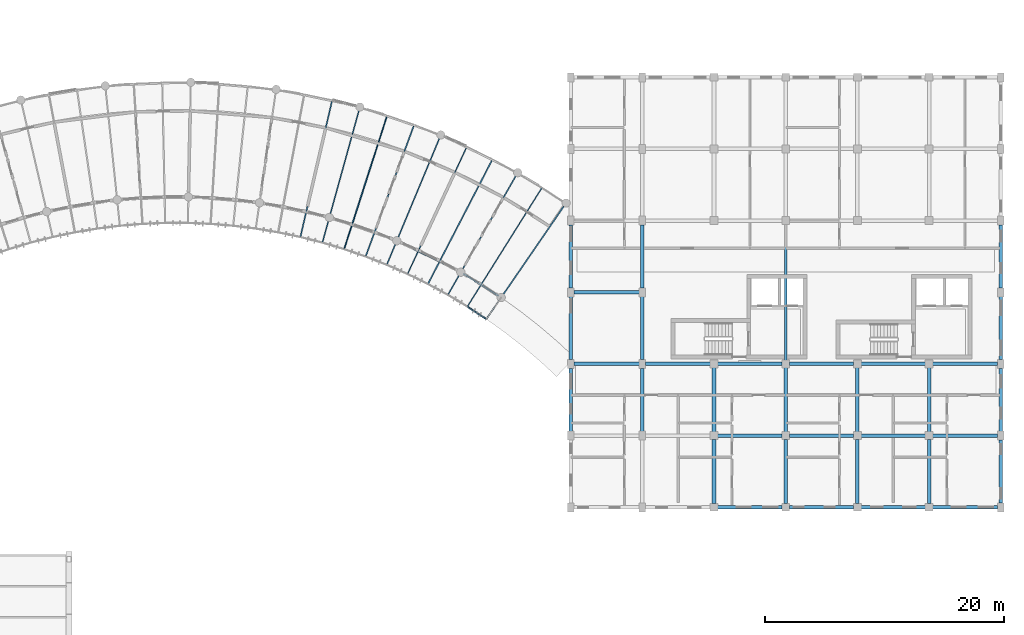
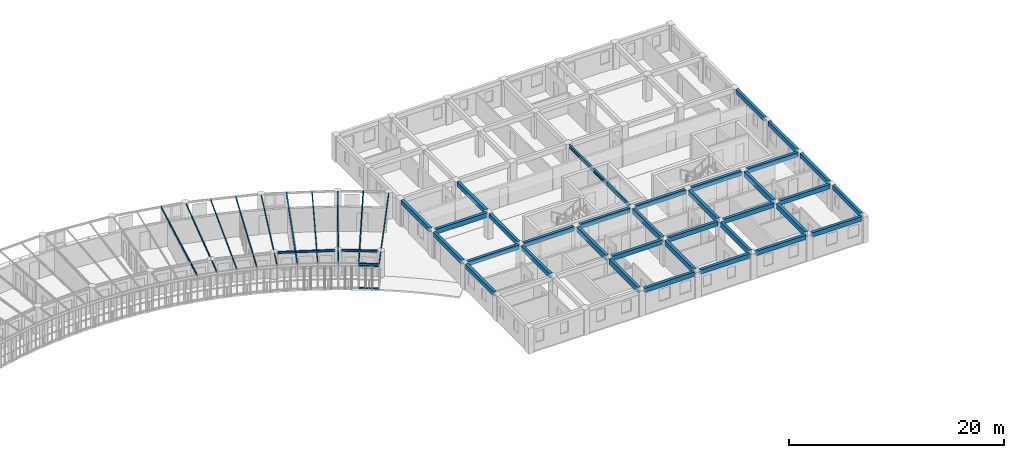
# One storey, part 55 of 123: 47 beams, 2 members.
"""IFC4 building model written with IfcOpenShell, lengths in metres."""

from ifc_helpers import new_model, si_unit, direction, frame, origin, origin_2d, place, context, subcontext, project, spatial, rectangle, hollow_rectangle, i_section, extrude, material, material_profile, profile_set, type_object, element, save


model = new_model("IFC4")

# Units and contexts
model_context = context("Model", 3, precision=1e-05, world=origin(), true_north=direction((0.0, 1.0)))
body_context = subcontext(model_context, "Body", "Model", "MODEL_VIEW")
ifc_project = project(units=[si_unit("LENGTHUNIT", "METRE"), si_unit("AREAUNIT", "SQUARE_METRE"), si_unit("VOLUMEUNIT", "CUBIC_METRE"), si_unit("PLANEANGLEUNIT", "RADIAN"), si_unit("MASSUNIT", "GRAM", prefix="KILO"), si_unit("POWERUNIT", "WATT"), si_unit("THERMODYNAMICTEMPERATUREUNIT", "KELVIN")], contexts=[model_context])

# Site, building, storey
site_placement = place(None, origin())
site = spatial("IfcSite", under=ifc_project, at=site_placement, CompositionType="ELEMENT")
building_placement = place(site_placement, origin())
building = spatial("IfcBuilding", under=site, at=building_placement, Name="Ruvembo Vaulted Housing Court", CompositionType="ELEMENT")
storey_placement = place(building_placement, frame((0.0, 0.0, 7.699951171875)))
storey = spatial("IfcBuildingStorey", under=building, at=storey_placement, Name="L02", CompositionType="ELEMENT", Elevation=7.699951171875)

# Beams
ifc_material_1 = material(Name="Concrete C35/45", Category="concrete")
ifc_material_profile_1 = material_profile(ifc_material_1, rectangle(XDim=0.300048828125, YDim=0.550048828125, at=origin_2d()), Name="RC 300x550")
ifc_profile_set_1 = profile_set([ifc_material_profile_1], Name="Concrete C35/45")
beam_type_1 = type_object("IfcBeamType", Name="BM-RC-300x550", PredefinedType="BEAM", material=ifc_profile_set_1)
beam_1_placement = place(storey_placement, frame((150.260009765625, 90.0, 2.679931640625), z_axis=(1.0, 0.0, 0.0), x_axis=(0.0, 1.0, 0.0)))
element("IfcBeam", 1, at=beam_1_placement, inside=storey, type_object=beam_type_1, Name="L02 Grid Beam X #1531", PredefinedType="BEAM", context=body_context, shape_type="SweptSolid", body=[
    extrude(rectangle(XDim=0.300048828125, YDim=0.550048828125, at=origin_2d()), origin(), (0.0, 0.0, 1.0), 5.47998046875),
])
ifc_material_profile_2 = material_profile(ifc_material_1, rectangle(XDim=0.300048828125, YDim=0.60009765625, at=origin_2d()), Name="RC 300x600")
ifc_profile_set_2 = profile_set([ifc_material_profile_2], Name="Concrete C35/45")
beam_type_2 = type_object("IfcBeamType", Name="BM-RC-300x600", PredefinedType="BEAM", material=ifc_profile_set_2)
for number, where, z_axis, x_axis, name in (
    (2, (162.0, 72.31005859375, 2.655029296875), (0.0, 1.0, 0.0), (-1.0, 0.0, 0.0), "L02 Grid Beam Y #1686"),
    (3, (162.0, 78.31005859375, 2.655029296875), (0.0, 1.0, 0.0), (-1.0, 0.0, 0.0), "L02 Grid Beam Y #1687"),
    (4, (168.0, 72.31005859375, 2.655029296875), (0.0, 1.0, 0.0), (-1.0, 0.0, 0.0), "L02 Grid Beam Y #1690"),
    (5, (168.0, 78.31005859375, 2.655029296875), (0.0, 1.0, 0.0), (-1.0, 0.0, 0.0), "L02 Grid Beam Y #1691"),
    (6, (174.0, 72.31005859375, 2.655029296875), (0.0, 1.0, 0.0), (-1.0, 0.0, 0.0), "L02 Grid Beam Y #1695"),
    (7, (174.0, 78.31005859375, 2.655029296875), (0.0, 1.0, 0.0), (-1.0, 0.0, 0.0), "L02 Grid Beam Y #1696"),
    (8, (180.0, 72.31005859375, 2.655029296875), (0.0, 1.0, 0.0), (-1.0, 0.0, 0.0), "L02 Grid Beam Y #1699"),
    (9, (180.0, 78.31005859375, 2.655029296875), (0.0, 1.0, 0.0), (-1.0, 0.0, 0.0), "L02 Grid Beam Y #1700"),
):
    element("IfcBeam", number, at=place(storey_placement, frame(where, z_axis=z_axis, x_axis=x_axis)), inside=storey, type_object=beam_type_2, Name=name, PredefinedType="BEAM", context=body_context, shape_type="SweptSolid", body=[
        extrude(rectangle(XDim=0.300048828125, YDim=0.60009765625, at=origin_2d()), origin(), (0.0, 0.0, 1.0), 5.3798828125),
    ])
ifc_material_2 = material(Name="Steel S355J2", Category="steel")
ifc_material_profile_3 = material_profile(ifc_material_2, i_section(OverallWidth=0.08203125, OverallDepth=0.159912109375, WebThickness=0.0048828125, FlangeThickness=0.00732421875, FilletRadius=0.009033203125, at=origin_2d()), Name="IPE 160")
ifc_profile_set_3 = profile_set([ifc_material_profile_3], Name="Steel S355J2")
beam_type_3 = type_object("IfcBeamType", Name="BM-ST-IPE160", PredefinedType="JOIST", material=ifc_profile_set_3)
beam_2_placement = place(storey_placement, frame((134.5986328125, 104.68896484375, 2.860107421875), z_axis=(-0.306337017889, -0.951923122669, 0.0), x_axis=(0.951923122669, -0.306337017889, 0.0)))
element("IfcBeam", 10, at=beam_2_placement, inside=storey, type_object=beam_type_3, Name="Scoop SC3 L02 Radial Steel Joist 22", PredefinedType="JOIST", context=body_context, shape_type="SweptSolid", body=[
    extrude(i_section(OverallWidth=0.08203125, OverallDepth=0.159912109375, WebThickness=0.0048828125, FlangeThickness=0.00732421875, FilletRadius=0.009033203125, at=origin_2d()), origin(), (0.0, 0.0, 1.0), 11.690673828125),
])
beam_3_placement = place(storey_placement, frame((141.255126953125, 102.07958984375, 2.860107421875), z_axis=(-0.422190259357, -0.906507244816, 0.0), x_axis=(0.906507244816, -0.422190259357, 0.0)))
element("IfcBeam", 11, at=beam_3_placement, inside=storey, type_object=beam_type_3, Name="Scoop SC3 L02 Radial Steel Joist 25", PredefinedType="JOIST", context=body_context, shape_type="SweptSolid", body=[
    extrude(i_section(OverallWidth=0.08203125, OverallDepth=0.159912109375, WebThickness=0.0048828125, FlangeThickness=0.00732421875, FilletRadius=0.009033203125, at=origin_2d()), origin(), (0.0, 0.0, 1.0), 11.69091796875),
])
beam_4_placement = place(storey_placement, frame((147.5625, 98.70556640625, 2.860107421875), z_axis=(-0.531512135198, -0.847050677432, 0.0), x_axis=(0.847050677432, -0.531512135198, 0.0)))
element("IfcBeam", 12, at=beam_4_placement, inside=storey, type_object=beam_type_3, Name="Scoop SC3 L02 Radial Steel Joist 28", PredefinedType="JOIST", context=body_context, shape_type="SweptSolid", body=[
    extrude(i_section(OverallWidth=0.08203125, OverallDepth=0.159912109375, WebThickness=0.0048828125, FlangeThickness=0.00732421875, FilletRadius=0.009033203125, at=origin_2d()), origin(), (0.0, 0.0, 1.0), 11.740478515625),
])
ifc_material_profile_4 = material_profile(ifc_material_2, i_section(OverallWidth=0.091064453125, OverallDepth=0.179931640625, WebThickness=0.00537109375, FlangeThickness=0.008056640625, FilletRadius=0.009033203125, at=origin_2d()), Name="IPE 180")
ifc_profile_set_4 = profile_set([ifc_material_profile_4], Name="Steel S355J2")
beam_type_4 = type_object("IfcBeamType", Name="BM-ST-IPE180", PredefinedType="JOIST", material=ifc_profile_set_4)
for number, where, z_axis, x_axis, name in (
    (13, (132.29248046875, 105.294189453125, 2.85009765625), (-0.266576495377, -0.963813764227, 0.0), (0.963813764227, -0.266576495377, 0.0), "Scoop SC3 L02 Radial Steel Joist 21"),
    (14, (139.0419921875, 102.966796875, 2.85009765625), (-0.384207721975, -0.923246676883, 0.0), (0.923246676883, -0.384207721975, 0.0), "Scoop SC3 L02 Radial Steel Joist 24"),
):
    element("IfcBeam", number, at=place(storey_placement, frame(where, z_axis=z_axis, x_axis=x_axis)), inside=storey, type_object=beam_type_4, Name=name, PredefinedType="JOIST", context=body_context, shape_type="SweptSolid", body=[
        extrude(i_section(OverallWidth=0.091064453125, OverallDepth=0.179931640625, WebThickness=0.00537109375, FlangeThickness=0.008056640625, FilletRadius=0.009033203125, at=origin_2d()), origin(), (0.0, 0.0, 1.0), 11.610107421875),
    ])
beam_5_placement = place(storey_placement, frame((145.4501953125, 99.818603515625, 2.85009765625), z_axis=(-0.495898868664, -0.868380280786, 0.0), x_axis=(0.868380280786, -0.495898868664, 0.0)))
element("IfcBeam", 15, at=beam_5_placement, inside=storey, type_object=beam_type_4, Name="Scoop SC3 L02 Radial Steel Joist 27", PredefinedType="JOIST", context=body_context, shape_type="SweptSolid", body=[
    extrude(i_section(OverallWidth=0.091064453125, OverallDepth=0.179931640625, WebThickness=0.00537109375, FlangeThickness=0.008056640625, FilletRadius=0.009033203125, at=origin_2d()), origin(), (0.0, 0.0, 1.0), 11.60986328125),
])
ifc_material_profile_5 = material_profile(ifc_material_2, i_section(OverallWidth=0.10009765625, OverallDepth=0.199951171875, WebThickness=0.005615234375, FlangeThickness=0.008544921875, FilletRadius=0.011962890625, at=origin_2d()), Name="IPE 200")
ifc_profile_set_5 = profile_set([ifc_material_profile_5], Name="Steel S355J2")
beam_type_5 = type_object("IfcBeamType", Name="BM-ST-IPE200", PredefinedType="BEAM", material=ifc_profile_set_5)
for number, where, z_axis, x_axis, name in (
    (16, (130.002685546875, 105.9599609375, 2.840087890625), (-0.226331039465, -0.974050440467, 0.0), (0.974050440467, -0.226331039465, 0.0), "Scoop SC3 L02 Radial Steel Joist 20"),
    (17, (136.852783203125, 103.91162109375, 2.840087890625), (-0.345551481909, -0.938399793985, 0.0), (0.938399793985, -0.345551481909, 0.0), "Scoop SC3 L02 Radial Steel Joist 23"),
):
    element("IfcBeam", number, at=place(storey_placement, frame(where, z_axis=z_axis, x_axis=x_axis)), inside=storey, type_object=beam_type_5, Name=name, PredefinedType="BEAM", context=body_context, shape_type="SweptSolid", body=[
        extrude(i_section(OverallWidth=0.10009765625, OverallDepth=0.199951171875, WebThickness=0.005615234375, FlangeThickness=0.008544921875, FilletRadius=0.011962890625, at=origin_2d()), origin(), (0.0, 0.0, 1.0), 11.69091796875),
    ])
beam_6_placement = place(storey_placement, frame((143.3955078125, 101.028076171875, 2.840087890625), z_axis=(-0.459450756353, -0.888203243907, 0.0), x_axis=(0.888203243907, -0.459450756353, 0.0)))
element("IfcBeam", 18, at=beam_6_placement, inside=storey, type_object=beam_type_5, Name="Scoop SC3 L02 Radial Steel Joist 26", PredefinedType="BEAM", context=body_context, shape_type="SweptSolid", body=[
    extrude(i_section(OverallWidth=0.10009765625, OverallDepth=0.199951171875, WebThickness=0.005615234375, FlangeThickness=0.008544921875, FilletRadius=0.011962890625, at=origin_2d()), origin(), (0.0, 0.0, 1.0), 11.690673828125),
])
beam_7_placement = place(storey_placement, frame((149.483642578125, 97.287841796875, 2.840087890625), z_axis=(-0.566205714572, -0.824263967905, 0.0), x_axis=(0.824263967905, -0.566205714572, 0.0)))
element("IfcBeam", 19, at=beam_7_placement, inside=storey, type_object=beam_type_5, Name="Scoop SC3 L02 Radial Steel Joist 29", PredefinedType="BEAM", context=body_context, shape_type="SweptSolid", body=[
    extrude(i_section(OverallWidth=0.10009765625, OverallDepth=0.199951171875, WebThickness=0.005615234375, FlangeThickness=0.008544921875, FilletRadius=0.011962890625, at=origin_2d()), origin(), (0.0, 0.0, 1.0), 11.610107421875),
])
ifc_material_profile_6 = material_profile(ifc_material_2, i_section(OverallWidth=0.1201171875, OverallDepth=0.239990234375, WebThickness=0.006103515625, FlangeThickness=0.009765625, FilletRadius=0.014892578125, at=origin_2d()), Name="IPE 240")
ifc_profile_set_6 = profile_set([ifc_material_profile_6], Name="Steel S355J2")
beam_type_6 = type_object("IfcBeamType", Name="BM-ST-IPE240", PredefinedType="BEAM", material=ifc_profile_set_6)
beam_8_placement = place(storey_placement, frame((135.6484375, 94.21435546875, 2.822021484375), z_axis=(0.89755770808, -0.440896995528, 0.0), x_axis=(0.440896995528, 0.89755770808, 0.0)))
element("IfcBeam", 20, at=beam_8_placement, inside=storey, type_object=beam_type_6, Name="Scoop SC3 L02 Chord Girder F24", PredefinedType="BEAM", context=body_context, shape_type="SweptSolid", body=[
    extrude(i_section(OverallWidth=0.1201171875, OverallDepth=0.239990234375, WebThickness=0.006103515625, FlangeThickness=0.009765625, FilletRadius=0.014892578125, at=origin_2d()), origin(), (0.0, 0.0, 1.0), 5.513671875),
])
beam_9_placement = place(storey_placement, frame((140.998291015625, 91.559814453125, 2.822021484375), z_axis=(0.84705900203, -0.531498868371, 0.0), x_axis=(0.531498868371, 0.84705900203, 0.0)))
element("IfcBeam", 21, at=beam_9_placement, inside=storey, type_object=beam_type_6, Name="Scoop SC3 L02 Chord Girder F27", PredefinedType="BEAM", context=body_context, shape_type="SweptSolid", body=[
    extrude(i_section(OverallWidth=0.1201171875, OverallDepth=0.239990234375, WebThickness=0.006103515625, FlangeThickness=0.009765625, FilletRadius=0.014892578125, at=origin_2d()), origin(), (0.0, 0.0, 1.0), 3.524169921875),
])
ifc_material_profile_7 = material_profile(ifc_material_2, i_section(OverallWidth=0.179931640625, OverallDepth=0.39990234375, WebThickness=0.008544921875, FlangeThickness=0.013427734375, FilletRadius=0.02099609375, at=origin_2d()), Name="IPE 400")
ifc_profile_set_7 = profile_set([ifc_material_profile_7], Name="Steel S355J2")
beam_type_7 = type_object("IfcBeamType", Name="BM-ST-IPE400", PredefinedType="BEAM", material=ifc_profile_set_7)
beam_10_placement = place(storey_placement, frame((168.0, 84.31005859375, 2.72607421875), z_axis=(0.0, 1.0, 0.0), x_axis=(-1.0, 0.0, 0.0)))
element("IfcBeam", 22, at=beam_10_placement, inside=storey, type_object=beam_type_7, Name="L02 Grid Beam Y #1692", PredefinedType="BEAM", context=body_context, shape_type="SweptSolid", body=[
    extrude(i_section(OverallWidth=0.179931640625, OverallDepth=0.39990234375, WebThickness=0.008544921875, FlangeThickness=0.013427734375, FilletRadius=0.02099609375, at=origin_2d()), origin(), (0.0, 0.0, 1.0), 11.3798828125),
])
ifc_material_profile_8 = material_profile(ifc_material_2, hollow_rectangle(XDim=0.14990234375, YDim=0.25, WallThickness=0.010009765625, InnerFilletRadius=0.010009765625, OuterFilletRadius=0.02001953125, at=origin_2d()), Name="RHS 250x150x10")
ifc_profile_set_8 = profile_set([ifc_material_profile_8], Name="Steel S355J2")
beam_type_8 = type_object("IfcBeamType", Name="BM-ST-RHS250", PredefinedType="SPANDREL", material=ifc_profile_set_8)
beam_11_placement = place(storey_placement, frame((141.343505859375, 88.794677734375, 2.81494140625), z_axis=(0.835902452778, -0.548878027834, 0.0), x_axis=(0.548878027834, 0.835902452778, 0.0)))
element("IfcBeam", 23, at=beam_11_placement, inside=storey, type_object=beam_type_8, Name="Scoop SC3 L02 Balcony Edge Spandrel 28", PredefinedType="SPANDREL", context=body_context, shape_type="SweptSolid", body=[
    extrude(hollow_rectangle(XDim=0.14990234375, YDim=0.25, WallThickness=0.010009765625, InnerFilletRadius=0.010009765625, OuterFilletRadius=0.02001953125, at=origin_2d()), origin(), (0.0, 0.0, 1.0), 1.901123046875),
])

# Members
ifc_material_profile_9 = material_profile(ifc_material_2, hollow_rectangle(XDim=0.06005859375, YDim=0.1201171875, WallThickness=0.0048828125, InnerFilletRadius=0.0048828125, OuterFilletRadius=0.010009765625, at=origin_2d()), Name="RHS 120x60x5")
ifc_profile_set_9 = profile_set([ifc_material_profile_9], Name="Steel S355J2")
member_type_1 = type_object("IfcMemberType", Name="MEM-CAR-RHS120", PredefinedType="CHORD", material=ifc_profile_set_9)
member_1_placement = place(storey_placement, frame((141.343505859375, 88.794677734375, 2.633056640625), z_axis=(0.835902452778, -0.548878027834, 0.0), x_axis=(0.548878027834, 0.835902452778, 0.0)))
element("IfcMember", 24, at=member_1_placement, inside=storey, type_object=member_type_1, Name="Scoop SC3 L02 Upper Louvre Carrier Rail 28", PredefinedType="CHORD", context=body_context, shape_type="SweptSolid", body=[
    extrude(hollow_rectangle(XDim=0.06005859375, YDim=0.1201171875, WallThickness=0.0048828125, InnerFilletRadius=0.0048828125, OuterFilletRadius=0.010009765625, at=origin_2d()), origin(), (0.0, 0.0, 1.0), 1.901123046875),
])
ifc_material_profile_10 = material_profile(ifc_material_2, hollow_rectangle(XDim=0.080078125, YDim=0.14990234375, WallThickness=0.00634765625, InnerFilletRadius=0.00634765625, OuterFilletRadius=0.0126953125, at=origin_2d()), Name="RHS 150x80x6.3")
ifc_profile_set_10 = profile_set([ifc_material_profile_10], Name="Steel S355J2")
member_type_2 = type_object("IfcMemberType", Name="MEM-CAR-RHS150", PredefinedType="CHORD", material=ifc_profile_set_10)
member_2_placement = place(storey_placement, frame((141.343505859375, 88.794677734375, 0.094970703125), z_axis=(0.835902452778, -0.548878027834, 0.0), x_axis=(0.548878027834, 0.835902452778, 0.0)))
element("IfcMember", 25, at=member_2_placement, inside=storey, type_object=member_type_2, Name="Scoop SC3 L02 Lower Louvre Carrier Rail 28", PredefinedType="CHORD", context=body_context, shape_type="SweptSolid", body=[
    extrude(hollow_rectangle(XDim=0.080078125, YDim=0.14990234375, WallThickness=0.00634765625, InnerFilletRadius=0.00634765625, OuterFilletRadius=0.0126953125, at=origin_2d()), origin(), (0.0, 0.0, 1.0), 1.901123046875),
])

# Beams
ifc_material_profile_11 = material_profile(ifc_material_1, rectangle(XDim=0.300048828125, YDim=0.5, at=origin_2d()), Name="RC 300x500")
ifc_profile_set_11 = profile_set([ifc_material_profile_11], Name="Concrete C35/45")
beam_type_9 = type_object("IfcBeamType", Name="SP-RC-300x500", PredefinedType="SPANDREL", material=ifc_profile_set_11)
for number, where, z_axis, x_axis, name in (
    (26, (162.31005859375, 72.0, 2.705078125), (1.0, 0.0, 0.0), (0.0, 1.0, 0.0), "L02 Grid Beam X #1497"),
    (27, (168.31005859375, 72.0, 2.705078125), (1.0, 0.0, 0.0), (0.0, 1.0, 0.0), "L02 Grid Beam X #1498"),
    (28, (174.31005859375, 72.0, 2.705078125), (1.0, 0.0, 0.0), (0.0, 1.0, 0.0), "L02 Grid Beam X #1499"),
):
    element("IfcBeam", number, at=place(storey_placement, frame(where, z_axis=z_axis, x_axis=x_axis)), inside=storey, type_object=beam_type_9, Name=name, PredefinedType="SPANDREL", context=body_context, shape_type="SweptSolid", body=[
        extrude(rectangle(XDim=0.300048828125, YDim=0.5, at=origin_2d()), origin(), (0.0, 0.0, 1.0), 5.3798828125),
    ])
beam_12_placement = place(storey_placement, frame((180.31005859375, 72.0, 2.705078125), z_axis=(1.0, 0.0, 0.0), x_axis=(0.0, 1.0, 0.0)))
element("IfcBeam", 29, at=beam_12_placement, inside=storey, type_object=beam_type_9, Name="L02 Grid Beam X #1500", PredefinedType="SPANDREL", context=body_context, shape_type="SweptSolid", body=[
    extrude(rectangle(XDim=0.300048828125, YDim=0.5, at=origin_2d()), origin(), (0.0, 0.0, 1.0), 5.429931640625),
])
for number, where, z_axis, x_axis, name in (
    (30, (162.31005859375, 78.0, 2.705078125), (1.0, 0.0, 0.0), (0.0, 1.0, 0.0), "L02 Grid Beam X #1509"),
    (31, (168.31005859375, 78.0, 2.705078125), (1.0, 0.0, 0.0), (0.0, 1.0, 0.0), "L02 Grid Beam X #1510"),
    (32, (174.31005859375, 78.0, 2.705078125), (1.0, 0.0, 0.0), (0.0, 1.0, 0.0), "L02 Grid Beam X #1511"),
):
    element("IfcBeam", number, at=place(storey_placement, frame(where, z_axis=z_axis, x_axis=x_axis)), inside=storey, type_object=beam_type_9, Name=name, PredefinedType="SPANDREL", context=body_context, shape_type="SweptSolid", body=[
        extrude(rectangle(XDim=0.300048828125, YDim=0.5, at=origin_2d()), origin(), (0.0, 0.0, 1.0), 5.3798828125),
    ])
beam_13_placement = place(storey_placement, frame((180.31005859375, 78.0, 2.705078125), z_axis=(1.0, 0.0, 0.0), x_axis=(0.0, 1.0, 0.0)))
element("IfcBeam", 33, at=beam_13_placement, inside=storey, type_object=beam_type_9, Name="L02 Grid Beam X #1512", PredefinedType="SPANDREL", context=body_context, shape_type="SweptSolid", body=[
    extrude(rectangle(XDim=0.300048828125, YDim=0.5, at=origin_2d()), origin(), (0.0, 0.0, 1.0), 5.429931640625),
])
beam_14_placement = place(storey_placement, frame((150.260009765625, 84.0, 2.705078125), z_axis=(1.0, 0.0, 0.0), x_axis=(0.0, 1.0, 0.0)))
element("IfcBeam", 34, at=beam_14_placement, inside=storey, type_object=beam_type_9, Name="L02 Grid Beam X #1519", PredefinedType="SPANDREL", context=body_context, shape_type="SweptSolid", body=[
    extrude(rectangle(XDim=0.300048828125, YDim=0.5, at=origin_2d()), origin(), (0.0, 0.0, 1.0), 5.47998046875),
])
beam_15_placement = place(storey_placement, frame((156.260009765625, 84.0, 2.705078125), z_axis=(1.0, 0.0, 0.0), x_axis=(0.0, 1.0, 0.0)))
element("IfcBeam", 35, at=beam_15_placement, inside=storey, type_object=beam_type_9, Name="L02 Grid Beam X #1520", PredefinedType="SPANDREL", context=body_context, shape_type="SweptSolid", body=[
    extrude(rectangle(XDim=0.300048828125, YDim=0.5, at=origin_2d()), origin(), (0.0, 0.0, 1.0), 5.429931640625),
])
for number, where, z_axis, x_axis, name in (
    (36, (162.31005859375, 84.0, 2.705078125), (1.0, 0.0, 0.0), (0.0, 1.0, 0.0), "L02 Grid Beam X #1521"),
    (37, (168.31005859375, 84.0, 2.705078125), (1.0, 0.0, 0.0), (0.0, 1.0, 0.0), "L02 Grid Beam X #1522"),
    (38, (174.31005859375, 84.0, 2.705078125), (1.0, 0.0, 0.0), (0.0, 1.0, 0.0), "L02 Grid Beam X #1523"),
):
    element("IfcBeam", number, at=place(storey_placement, frame(where, z_axis=z_axis, x_axis=x_axis)), inside=storey, type_object=beam_type_9, Name=name, PredefinedType="SPANDREL", context=body_context, shape_type="SweptSolid", body=[
        extrude(rectangle(XDim=0.300048828125, YDim=0.5, at=origin_2d()), origin(), (0.0, 0.0, 1.0), 5.3798828125),
    ])
beam_16_placement = place(storey_placement, frame((180.31005859375, 84.0, 2.705078125), z_axis=(1.0, 0.0, 0.0), x_axis=(0.0, 1.0, 0.0)))
element("IfcBeam", 39, at=beam_16_placement, inside=storey, type_object=beam_type_9, Name="L02 Grid Beam X #1524", PredefinedType="SPANDREL", context=body_context, shape_type="SweptSolid", body=[
    extrude(rectangle(XDim=0.300048828125, YDim=0.5, at=origin_2d()), origin(), (0.0, 0.0, 1.0), 5.429931640625),
])
for number, where, z_axis, x_axis, name in (
    (40, (150.0, 78.360107421875, 2.705078125), (0.0, 1.0, 0.0), (-1.0, 0.0, 0.0), "L02 Grid Beam Y #1675"),
    (41, (150.0, 84.360107421875, 2.705078125), (0.0, 1.0, 0.0), (-1.0, 0.0, 0.0), "L02 Grid Beam Y #1676"),
    (42, (150.0, 90.360107421875, 2.705078125), (0.0, 1.0, 0.0), (-1.0, 0.0, 0.0), "L02 Grid Beam Y #1677"),
    (43, (156.0, 78.360107421875, 2.705078125), (0.0, 1.0, 0.0), (-1.0, 0.0, 0.0), "L02 Grid Beam Y #1681"),
    (44, (156.0, 84.360107421875, 2.705078125), (0.0, 1.0, 0.0), (-1.0, 0.0, 0.0), "L02 Grid Beam Y #1682"),
    (45, (156.0, 90.360107421875, 2.705078125), (0.0, 1.0, 0.0), (-1.0, 0.0, 0.0), "L02 Grid Beam Y #1683"),
    (46, (186.0, 72.360107421875, 2.705078125), (0.0, 1.0, 0.0), (-1.0, 0.0, 0.0), "L02 Grid Beam Y #1703"),
    (47, (186.0, 78.360107421875, 2.705078125), (0.0, 1.0, 0.0), (-1.0, 0.0, 0.0), "L02 Grid Beam Y #1704"),
    (48, (186.0, 84.360107421875, 2.705078125), (0.0, 1.0, 0.0), (-1.0, 0.0, 0.0), "L02 Grid Beam Y #1705"),
    (49, (186.0, 90.360107421875, 2.705078125), (0.0, 1.0, 0.0), (-1.0, 0.0, 0.0), "L02 Grid Beam Y #1706"),
):
    element("IfcBeam", number, at=place(storey_placement, frame(where, z_axis=z_axis, x_axis=x_axis)), inside=storey, type_object=beam_type_9, Name=name, PredefinedType="SPANDREL", context=body_context, shape_type="SweptSolid", body=[
        extrude(rectangle(XDim=0.300048828125, YDim=0.5, at=origin_2d()), origin(), (0.0, 0.0, 1.0), 5.27978515625),
    ])

save(model, "model.ifc")
